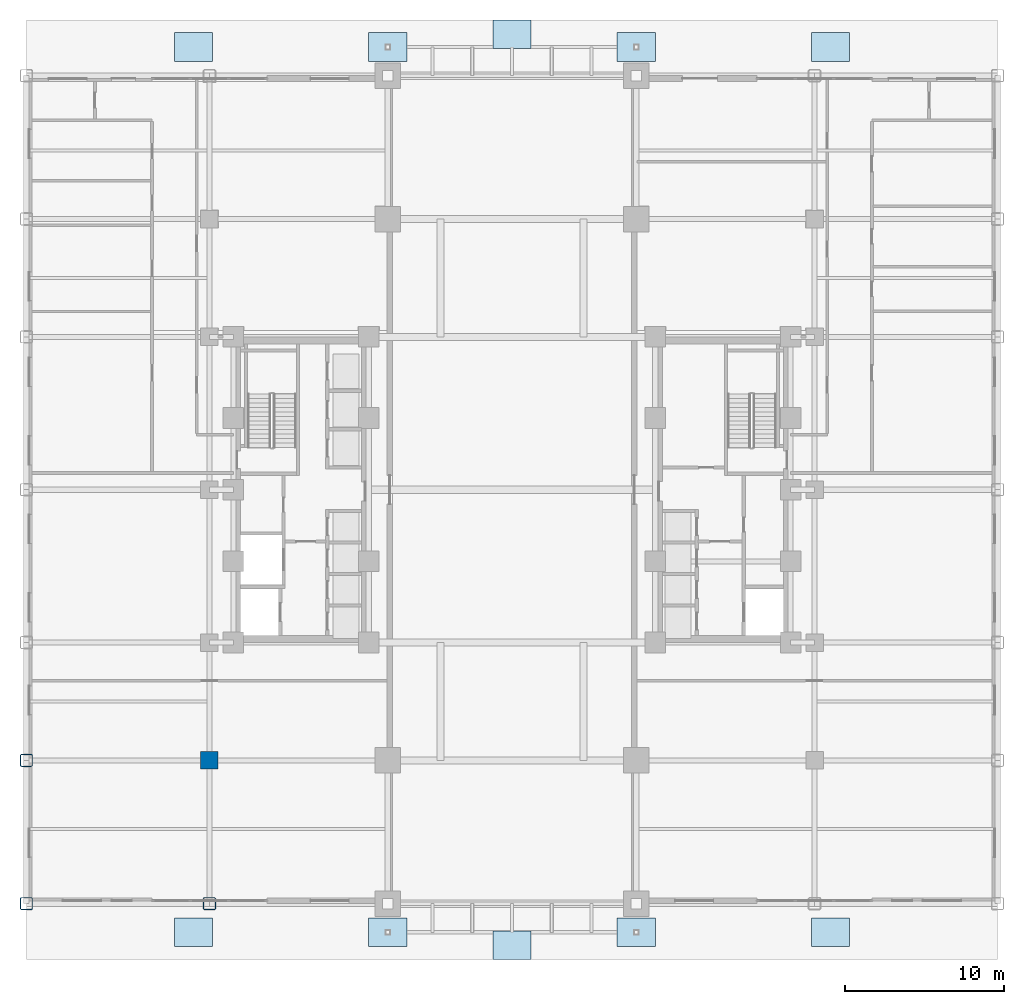
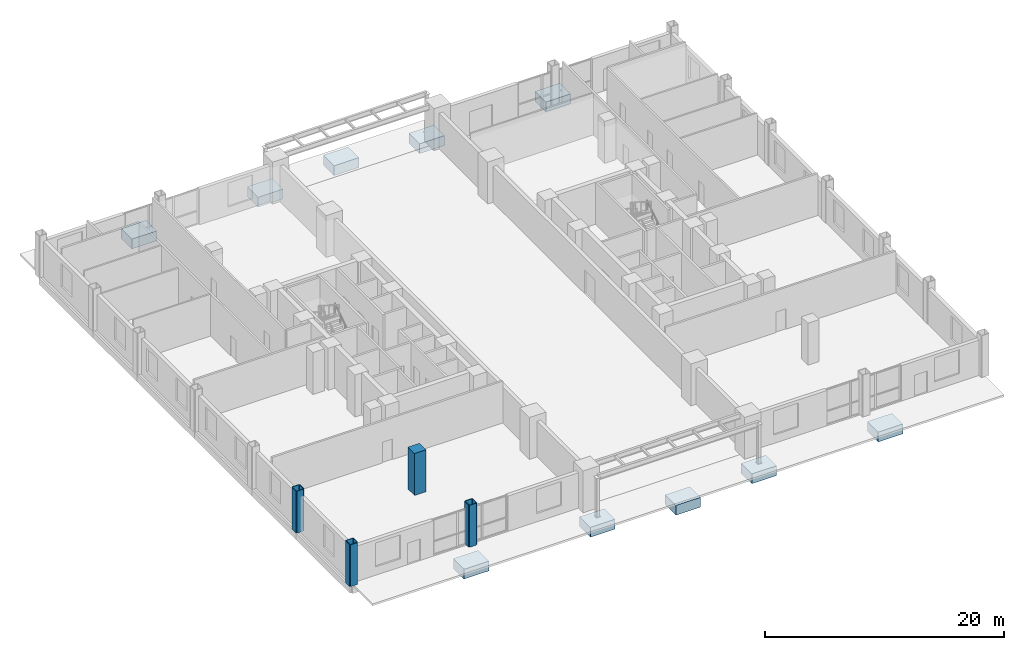
# One storey, part 1 of 20: 10 footings, 4 columns.
"""IFC4 building model written with IfcOpenShell, lengths in metres."""

import ifcopenshell
import ifcopenshell.guid

model = None  # the IFC model being written
_history = None  # IfcOwnerHistory: only IFC2X3 demands one
_inside = {}  # id of a spatial element -> (the spatial element, [elements in it])
_under = {}  # id of a project, library or spatial element -> (it, [spatial elements below it])
_declared = {}  # id of a project -> (the project, [libraries it declares])
_typed = {}  # id of a type object -> (the type object, [elements of that type])
_made_of = {}  # id of a material, layer set ... -> (it, [elements and type objects made of it])


def new_model(schema):
    """Start an empty IFC model of exactly this schema.

    Asked for "IFC4X3", IfcOpenShell would pick the latest addendum, in which some entities
    have other attributes; the version numbers below select the first issue.
    IFC2X3 requires an IfcOwnerHistory on every rooted entity: one is made here for all.
    """
    global model, _history
    if schema == "IFC4X3":
        model = ifcopenshell.file(schema_version=(4, 3, 0, 0))
    else:
        model = ifcopenshell.file(schema=schema)
    _inside.clear()
    _under.clear()
    _declared.clear()
    _typed.clear()
    _made_of.clear()
    _history = None
    if model.schema == "IFC2X3":
        org = make("IfcOrganization", Name="unknown")
        user = make(
            "IfcPersonAndOrganization",
            ThePerson=make("IfcPerson", FamilyName="unknown"),
            TheOrganization=org,
        )
        app = make(
            "IfcApplication",
            ApplicationDeveloper=org,
            Version="unknown",
            ApplicationFullName="unknown",
            ApplicationIdentifier="unknown",
        )
        _history = make(
            "IfcOwnerHistory",
            OwningUser=user,
            OwningApplication=app,
            ChangeAction="ADDED",
            CreationDate=0,
        )
    return model


def make(cls, **values):
    """One entity of the class cls with the attributes given. An attribute that is None is left unset."""
    return model.create_entity(
        cls, **{name: value for name, value in values.items() if value is not None}
    )


def rooted(cls, **values):
    """An entity with a GlobalId (a new one), such as an element, a storey or a relation."""
    return make(cls, GlobalId=ifcopenshell.guid.new(), OwnerHistory=_history, **values)


def si_unit(unit_type, name, prefix=None):
    """IfcSIUnit, for example si_unit("LENGTHUNIT", "METRE", prefix="MILLI")."""
    return make("IfcSIUnit", UnitType=unit_type, Prefix=prefix, Name=name)


def assignment(units):
    """IfcUnitAssignment: the units of a project."""
    return None if units is None else make("IfcUnitAssignment", Units=units)


def point(xyz):
    """IfcCartesianPoint."""
    return None if xyz is None else make("IfcCartesianPoint", Coordinates=xyz)


def direction(xyz):
    """IfcDirection."""
    return None if xyz is None else make("IfcDirection", DirectionRatios=xyz)


def frame(location, z_axis=None, x_axis=None):
    """IfcAxis2Placement3D, a coordinate frame: its origin and axes. An axis left out is left unset."""
    return make(
        "IfcAxis2Placement3D",
        Location=point(location),
        Axis=direction(z_axis),
        RefDirection=direction(x_axis),
    )


def frame_2d(location, x_axis=None):
    """IfcAxis2Placement2D, a coordinate frame in the plane: its origin and x axis."""
    return make(
        "IfcAxis2Placement2D", Location=point(location), RefDirection=direction(x_axis)
    )


def origin():
    """The frame at (0, 0, 0) with its axes left unset."""
    return frame((0.0, 0.0, 0.0))


def origin_2d():
    """The frame at (0, 0) in the plane with its x axis left unset."""
    return frame_2d((0.0, 0.0))


def place(relative_to, where):
    """IfcLocalPlacement: puts the frame where relative to a parent placement (None: the world)."""
    return make(
        "IfcLocalPlacement", PlacementRelTo=relative_to, RelativePlacement=where
    )


def context(
    kind, dimensions, precision=None, world=None, true_north=None, identifier=None
):
    """IfcGeometricRepresentationContext, for example the 3D "Model" context."""
    return make(
        "IfcGeometricRepresentationContext",
        ContextIdentifier=identifier,
        ContextType=kind,
        CoordinateSpaceDimension=dimensions,
        Precision=precision,
        WorldCoordinateSystem=world,
        TrueNorth=true_north,
    )


def subcontext(parent, identifier, kind, view, scale=None):
    """IfcGeometricRepresentationSubContext, for example "Body" below "Model"."""
    return make(
        "IfcGeometricRepresentationSubContext",
        ContextIdentifier=identifier,
        ContextType=kind,
        ParentContext=parent,
        TargetScale=scale,
        TargetView=view,
    )


def project(units=None, contexts=None):
    """IfcProject with its units and contexts."""
    return rooted(
        "IfcProject",
        Name="project",
        RepresentationContexts=contexts,
        UnitsInContext=assignment(units),
    )


def spatial(cls, under=None, at=None, **own):
    """A site, building, storey or space (cls), placed at a placement, below another one or the project."""
    s = rooted(cls, ObjectPlacement=at, **own)
    if under is not None:
        _under.setdefault(under.id(), (under, []))[1].append(s)
    return s


def profile(cls, at=None, kind="AREA", **sizes):
    """A parametric profile (cls). Its sizes go by their IFC names, for example OverallWidth=200.0."""
    return make(cls, ProfileType=kind, Position=at, **sizes)


def rectangle(**sizes):
    """IfcRectangleProfileDef."""
    return profile("IfcRectangleProfileDef", **sizes)


def hollow_rectangle(**sizes):
    """IfcRectangleHollowProfileDef."""
    return profile("IfcRectangleHollowProfileDef", **sizes)


def extrude(swept, where, along, depth):
    """IfcExtrudedAreaSolid: the profile swept, set in the frame where, extruded along a direction by depth."""
    return make(
        "IfcExtrudedAreaSolid",
        SweptArea=swept,
        Position=where,
        ExtrudedDirection=direction(along),
        Depth=depth,
    )


def shape(context_of_items, identifier, shape_type, items):
    """IfcShapeRepresentation: the items that make up one representation, for example the "Body"."""
    return make(
        "IfcShapeRepresentation",
        ContextOfItems=context_of_items,
        RepresentationIdentifier=identifier,
        RepresentationType=shape_type,
        Items=items,
    )


def source(mapping_origin, context_of_items, identifier, shape_type, items):
    """IfcRepresentationMap: a shape defined once, which mapped items show again and again."""
    return make(
        "IfcRepresentationMap",
        MappingOrigin=mapping_origin,
        MappedRepresentation=shape(context_of_items, identifier, shape_type, items),
    )


def transform(
    local_origin,
    x_axis=None,
    y_axis=None,
    z_axis=None,
    scale=None,
    scale2=None,
    scale3=None,
    uniform=True,
):
    """IfcCartesianTransformationOperator3D, or its non-uniform kind. x_axis, y_axis, z_axis: its Axis1, 2, 3."""
    if uniform:
        return make(
            "IfcCartesianTransformationOperator3D",
            Axis1=direction(x_axis),
            Axis2=direction(y_axis),
            LocalOrigin=point(local_origin),
            Scale=scale,
            Axis3=direction(z_axis),
        )
    return make(
        "IfcCartesianTransformationOperator3DnonUniform",
        Axis1=direction(x_axis),
        Axis2=direction(y_axis),
        LocalOrigin=point(local_origin),
        Scale=scale,
        Axis3=direction(z_axis),
        Scale2=scale2,
        Scale3=scale3,
    )


def mapped(mapping_source, mapping_target):
    """IfcMappedItem: shows the shape of a source again, moved by a transform."""
    return make(
        "IfcMappedItem", MappingSource=mapping_source, MappingTarget=mapping_target
    )


def material(Name=None, Category=None):
    """IfcMaterial."""
    return make("IfcMaterial", Name=Name, Category=Category)


def material_profile(
    of_material, cross_section, Name=None, Category=None, Priority=None
):
    """IfcMaterialProfile: a cross section and its material."""
    return make(
        "IfcMaterialProfile",
        Name=Name,
        Material=of_material,
        Profile=cross_section,
        Priority=Priority,
        Category=Category,
    )


def profile_set(profiles, Name=None, composite=None):
    """IfcMaterialProfileSet."""
    return make(
        "IfcMaterialProfileSet",
        Name=Name,
        MaterialProfiles=profiles,
        CompositeProfile=composite,
    )


def made_of(thing, what):
    """Note that an element or type object is made of a material, layer set ...; save() writes the relation."""
    if what is not None:
        _made_of.setdefault(what.id(), (what, []))[1].append(thing)
    return thing


def type_object(cls, material=None, **own):
    """A type object (cls), such as IfcWallType, which elements share."""
    return made_of(rooted(cls, **own), material)


def type_shapes(of_type, sources):
    """Give a type object the sources (RepresentationMaps) that its elements show as mapped items."""
    of_type.RepresentationMaps = sources


def element(
    cls,
    number,
    at=None,
    inside=None,
    cuts=None,
    type_object=None,
    material=None,
    context=None,
    identifier="Body",
    shape_type=None,
    held_by="IfcProductDefinitionShape",
    body=None,
    shapes=None,
    **own,
):
    """One element of the class cls, such as IfcWall. Its Tag is "e" and its number.

    at: its placement. inside: the storey or other place that contains it. cuts: it is an
    opening in that element (IfcRelVoidsElement). A single representation is given by context,
    identifier, shape_type and body (its items); several are given by shapes. held_by: the class
    of the entity that holds the representations. save() writes the other relations.
    """
    e = rooted(cls, Tag="e%d" % number, ObjectPlacement=at, **own)
    if body is not None:
        shapes = [shape(context, identifier, shape_type, body)]
    if shapes is not None:
        e.Representation = make(held_by, Representations=shapes)
    if inside is not None:
        _inside.setdefault(inside.id(), (inside, []))[1].append(e)
    if cuts is not None:
        rooted(
            "IfcRelVoidsElement", RelatingBuildingElement=cuts, RelatedOpeningElement=e
        )
    if type_object is not None:
        _typed.setdefault(type_object.id(), (type_object, []))[1].append(e)
    return made_of(e, material)


def aggregate(whole, parts):
    """IfcRelAggregates: a whole, such as a stair, and the parts it consists of."""
    return rooted("IfcRelAggregates", RelatingObject=whole, RelatedObjects=parts)


def save(model, path):
    """Write the relations noted so far, then the file.

    IfcRelAggregates (storeys below a building ...), IfcRelContainedInSpatialStructure (elements
    in a storey), IfcRelDefinesByType, IfcRelAssociatesMaterial and IfcRelDeclares: one each for
    every whole, place, type object, material and project.
    """
    for whole, parts in _under.values():
        aggregate(whole, parts)
    for where, things in _inside.values():
        rooted(
            "IfcRelContainedInSpatialStructure",
            RelatedElements=things,
            RelatingStructure=where,
        )
    for kind, things in _typed.values():
        rooted("IfcRelDefinesByType", RelatedObjects=things, RelatingType=kind)
    for what, things in _made_of.values():
        rooted("IfcRelAssociatesMaterial", RelatedObjects=things, RelatingMaterial=what)
    for by, libraries in _declared.values():
        rooted("IfcRelDeclares", RelatingContext=by, RelatedDefinitions=libraries)
    model.write(path)


model = new_model("IFC4")

# Units and contexts
model_context = context("Model", 3, precision=1e-05, world=origin(), true_north=direction((0.0, 1.0)))
body_context = subcontext(model_context, "Body", "Model", "MODEL_VIEW")
ifc_project = project(units=[si_unit("LENGTHUNIT", "METRE"), si_unit("AREAUNIT", "SQUARE_METRE"), si_unit("VOLUMEUNIT", "CUBIC_METRE"), si_unit("PLANEANGLEUNIT", "RADIAN"), si_unit("MASSUNIT", "GRAM", prefix="KILO")], contexts=[model_context])

# Site, building, storey
site_placement = place(None, origin())
site = spatial("IfcSite", under=ifc_project, at=site_placement, CompositionType="ELEMENT")
building_placement = place(site_placement, origin())
building = spatial("IfcBuilding", under=site, at=building_placement, Name="Nuvemarco Arch Tower", CompositionType="ELEMENT")
storey_placement = place(building_placement, origin())
storey = spatial("IfcBuildingStorey", under=building, at=storey_placement, Name="L00", CompositionType="ELEMENT", Elevation=0.0)

# Footings
ifc_material_1 = material(Name="Concrete C50/60", Category="concrete")
footing_type = type_object("IfcFootingType", Name="FT-PAD-PLAZA", PredefinedType="PAD_FOOTING", material=ifc_material_1)
shared_shape = source(origin(), body_context, "Body", "SweptSolid", [
    extrude(rectangle(XDim=2.39990234375, YDim=1.800048828125, at=origin_2d()), origin(), (0.0, 0.0, 1.0), 1.0),
])
type_shapes(footing_type, [shared_shape])
for number, where, z_axis, x_axis, name in (
    (1, (-20.0, -27.800048828125, -1.199951171875), (0.0, 0.0, 1.0), (1.0, 0.0, 0.0), "Plaza forecourt pad footing PF-1 S1"),
    (2, (-7.800048828125, -27.800048828125, -1.199951171875), (0.0, 0.0, 1.0), (1.0, 0.0, 0.0), "Plaza forecourt pad footing PF-1 S2"),
    (3, (0.0, -28.60009765625, -1.199951171875), (0.0, 0.0, 1.0), (1.0, 0.0, 0.0), "Plaza forecourt pad footing PF-1 S3"),
    (4, (7.800048828125, -27.800048828125, -1.199951171875), (0.0, 0.0, 1.0), (1.0, 0.0, 0.0), "Plaza forecourt pad footing PF-1 S4"),
    (5, (20.0, -27.800048828125, -1.199951171875), (0.0, 0.0, 1.0), (1.0, 0.0, 0.0), "Plaza forecourt pad footing PF-1 S5"),
    (6, (-20.0, 27.800048828125, -1.199951171875), (0.0, 0.0, 1.0), (1.0, 0.0, 0.0), "Plaza forecourt pad footing PF-1 N1"),
    (7, (-7.800048828125, 27.800048828125, -1.199951171875), (0.0, 0.0, 1.0), (1.0, 0.0, 0.0), "Plaza forecourt pad footing PF-1 N2"),
    (8, (0.0, 28.60009765625, -1.199951171875), (0.0, 0.0, 1.0), (1.0, 0.0, 0.0), "Plaza forecourt pad footing PF-1 N3"),
    (9, (7.800048828125, 27.800048828125, -1.199951171875), (0.0, 0.0, 1.0), (1.0, 0.0, 0.0), "Plaza forecourt pad footing PF-1 N4"),
    (10, (20.0, 27.800048828125, -1.199951171875), (0.0, 0.0, 1.0), (1.0, 0.0, 0.0), "Plaza forecourt pad footing PF-1 N5"),
):
    element("IfcFooting", number, at=place(storey_placement, frame(where, z_axis=z_axis, x_axis=x_axis)), inside=storey, type_object=footing_type, Name=name, PredefinedType="PAD_FOOTING", context=body_context, shape_type="MappedRepresentation", body=[
        mapped(shared_shape, transform((0.0, 0.0, 0.0), scale=1.0)),
    ])

# Columns
ifc_material_2 = material(Name="Concrete C60/75", Category="concrete")
ifc_material_profile_1 = material_profile(ifc_material_2, rectangle(XDim=1.10009765625, YDim=1.10009765625, at=origin_2d()), Name="RC-COL-1100x1100")
ifc_profile_set_1 = profile_set([ifc_material_profile_1], Name="Concrete C60/75")
column_type_1 = type_object("IfcColumnType", Name="COL-CORE-1100", PredefinedType="COLUMN", material=ifc_profile_set_1)
column_placement = place(storey_placement, frame((-19.0, -17.0, 0.0), z_axis=(0.0, 0.0, 1.0), x_axis=(1.0, 0.0, 0.0)))
element("IfcColumn", 11, at=column_placement, inside=storey, type_object=column_type_1, Name="L00 column CP_-19.0_-17.0", PredefinedType="COLUMN", context=body_context, shape_type="SweptSolid", body=[
    extrude(rectangle(XDim=1.10009765625, YDim=1.10009765625, at=origin_2d()), origin(), (0.0, 0.0, 1.0), 4.280029296875),
])
ifc_material_3 = material(Name="Steel S460", Category="steel")
ifc_material_profile_2 = material_profile(ifc_material_3, hollow_rectangle(XDim=0.800048828125, YDim=0.800048828125, WallThickness=0.054931640625, InnerFilletRadius=0.054931640625, OuterFilletRadius=0.110107421875, at=origin_2d()), Name="SHS800x800x55")
ifc_profile_set_2 = profile_set([ifc_material_profile_2], Name="Steel S460")
column_type_2 = type_object("IfcColumnType", Name="COL-EXO-800", PredefinedType="COLUMN", material=ifc_profile_set_2)
for number, where, z_axis, x_axis, name in (
    (12, (-30.5, -26.0, 0.0), (0.0, 0.0, 1.0), (1.0, 0.0, 0.0), "L00 column CP_-30.5_-26.0"),
    (13, (-30.5, -17.0, 0.0), (0.0, 0.0, 1.0), (1.0, 0.0, 0.0), "L00 column CP_-30.5_-17.0"),
    (14, (-19.0, -26.0, 0.0), (0.0, 0.0, 1.0), (1.0, 0.0, 0.0), "L00 column CP_-19.0_-26.0"),
):
    element("IfcColumn", number, at=place(storey_placement, frame(where, z_axis=z_axis, x_axis=x_axis)), inside=storey, type_object=column_type_2, Name=name, PredefinedType="COLUMN", context=body_context, shape_type="SweptSolid", body=[
        extrude(hollow_rectangle(XDim=0.800048828125, YDim=0.800048828125, WallThickness=0.054931640625, InnerFilletRadius=0.054931640625, OuterFilletRadius=0.110107421875, at=origin_2d()), origin(), (0.0, 0.0, 1.0), 4.280029296875),
    ])

save(model, "model.ifc")
